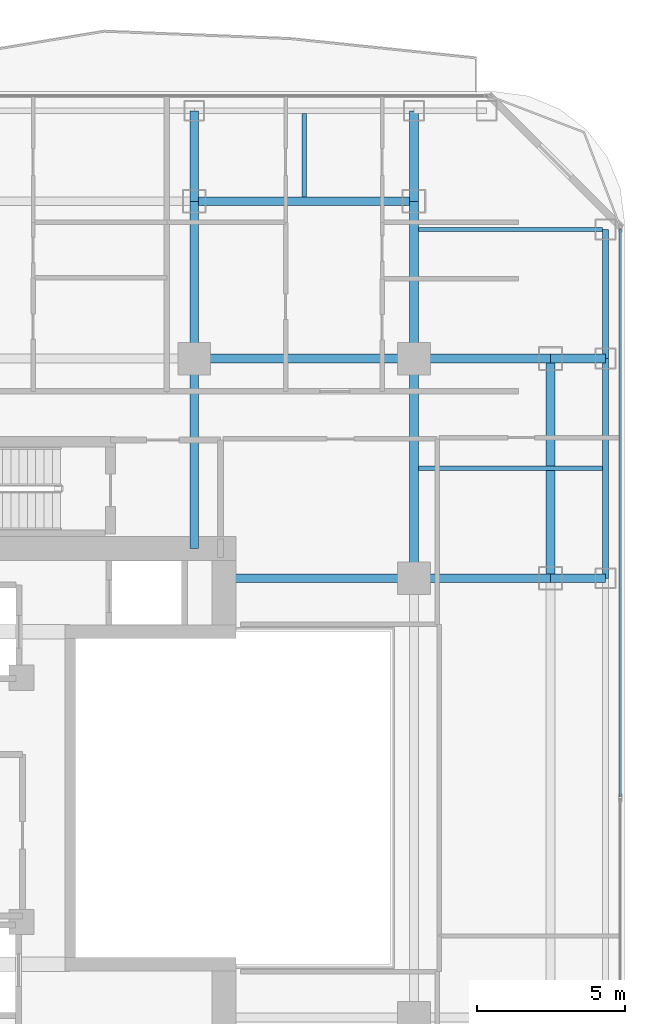
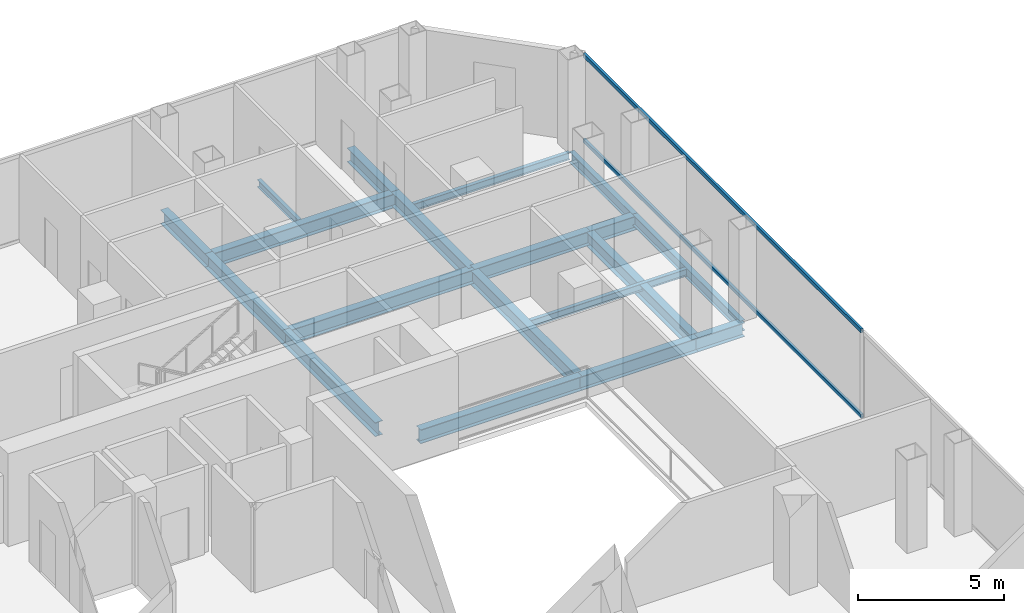
# One storey, part 15 of 26: 19 beams, 2 members, 1 element without a shape of its own.
"""IFC4 building model written with IfcOpenShell, lengths in metres."""

from ifc_helpers import new_model, si_unit, direction, frame, origin, origin_2d, place, context, subcontext, project, spatial, hollow_rectangle, i_section, extrude, material, layer, layer_set, material_profile, profile_set, type_object, element, aggregate, save


model = new_model("IFC4")

# Units and contexts
model_context = context("Model", 3, precision=1e-05, world=origin(), true_north=direction((0.0, 1.0)))
body_context = subcontext(model_context, "Body", "Model", "MODEL_VIEW")
ifc_project = project(units=[si_unit("LENGTHUNIT", "METRE"), si_unit("AREAUNIT", "SQUARE_METRE"), si_unit("VOLUMEUNIT", "CUBIC_METRE"), si_unit("PLANEANGLEUNIT", "RADIAN"), si_unit("MASSUNIT", "GRAM", prefix="KILO")], contexts=[model_context])

# Site, building, storey
site_placement = place(None, origin())
site = spatial("IfcSite", under=ifc_project, at=site_placement, CompositionType="ELEMENT")
building_placement = place(site_placement, origin())
building = spatial("IfcBuilding", under=site, at=building_placement, Name="Khorvyn Point Tower", CompositionType="ELEMENT")
storey_placement = place(building_placement, frame((0.0, 0.0, 183.60009765625)))
storey = spatial("IfcBuildingStorey", under=building, at=storey_placement, Name="L45", CompositionType="ELEMENT", Elevation=183.60009765625)

# Curtain wall, members
ifc_material_1 = material(Name="Anodised aluminium 6063-T6 and laminated Low-E glass", Category="aluminium")
ifc_layer = layer(ifc_material_1, 0.18994140625)
ifc_layer_set = layer_set([ifc_layer], Name="Stick-Built Acoustic Curtain Wall CW-SYS-03")
curtain_wall_type = type_object("IfcCurtainWallType", Name="Stick-Built Acoustic Curtain Wall CW-SYS-03", PredefinedType="NOTDEFINED", material=ifc_layer_set)
curtain_wall_placement = place(storey_placement, origin())
curtain_wall = element("IfcCurtainWall", 1, at=curtain_wall_placement, inside=storey, type_object=curtain_wall_type, Name="Curtain Wall", PredefinedType="NOTDEFINED")
ifc_material_2 = material(Name="Anodised aluminium 6063-T6", Category="aluminium")
ifc_material_profile_1 = material_profile(ifc_material_2, hollow_rectangle(XDim=0.10009765625, YDim=0.159912109375, WallThickness=0.00439453125, at=origin_2d()))
ifc_profile_set_1 = profile_set([ifc_material_profile_1], Name="Anodised aluminium 6063-T6 ALU-TRN-100x160")
member_type = type_object("IfcMemberType", Name="Anodised Aluminium 6063-T6 Transom ALU-TRN-100x160", PredefinedType="USERDEFINED", material=ifc_profile_set_1)
member_1_placement = place(storey_placement, frame((21.75, 19.14990234375, 0.0498046875), z_axis=(0.0, -1.0, 0.0), x_axis=(1.0, 0.0, 0.0)))
member_1 = element("IfcMember", 2, at=member_1_placement, type_object=member_type, Name="Transom", ObjectType="TRANSOM", PredefinedType="USERDEFINED", context=body_context, shape_type="SweptSolid", body=[
    extrude(hollow_rectangle(XDim=0.10009765625, YDim=0.159912109375, WallThickness=0.00439453125, at=origin_2d()), origin(), (0.0, 0.0, 1.0), 19.099853515625),
])
member_2_placement = place(storey_placement, frame((21.75, 19.14990234375, 3.6298828125), z_axis=(0.0, -1.0, 0.0), x_axis=(1.0, 0.0, 0.0)))
member_2 = element("IfcMember", 3, at=member_2_placement, type_object=member_type, Name="Transom", ObjectType="TRANSOM", PredefinedType="USERDEFINED", context=body_context, shape_type="SweptSolid", body=[
    extrude(hollow_rectangle(XDim=0.10009765625, YDim=0.159912109375, WallThickness=0.00439453125, at=origin_2d()), origin(), (0.0, 0.0, 1.0), 19.099853515625),
])
aggregate(curtain_wall, [member_1, member_2])

# Beams
ifc_material_3 = material(Name="Steel S355", Category="steel")
ifc_material_profile_2 = material_profile(ifc_material_3, i_section(OverallWidth=0.300048828125, OverallDepth=0.587890625, WebThickness=0.011962890625, FlangeThickness=0.02001953125, at=origin_2d()))
ifc_profile_set_2 = profile_set([ifc_material_profile_2], Name="Steel S355 H588x300x12x20")
beam_type_1 = type_object("IfcBeamType", Name="Steel S355 Beam H588x300x12x20", PredefinedType="BEAM", material=ifc_profile_set_2)
beam_1_placement = place(storey_placement, frame((7.39990234375, 14.800048828125, -0.51416015625), z_axis=(1.0, 0.0, 0.0), x_axis=(0.0, 1.0, 0.0)))
element("IfcBeam", 4, at=beam_1_placement, inside=storey, type_object=beam_type_1, Name="Beam", PredefinedType="BEAM", context=body_context, shape_type="SweptSolid", body=[
    extrude(i_section(OverallWidth=0.300048828125, OverallDepth=0.587890625, WebThickness=0.011962890625, FlangeThickness=0.02001953125, at=origin_2d()), origin(), (0.0, 0.0, 1.0), 7.400146484375),
])
beam_2_placement = place(storey_placement, frame((14.800048828125, 14.800048828125, -0.51416015625), z_axis=(1.0, 0.0, 0.0), x_axis=(0.0, 1.0, 0.0)))
element("IfcBeam", 5, at=beam_2_placement, inside=storey, type_object=beam_type_1, Name="Beam", PredefinedType="BEAM", context=body_context, shape_type="SweptSolid", body=[
    extrude(i_section(OverallWidth=0.300048828125, OverallDepth=0.587890625, WebThickness=0.011962890625, FlangeThickness=0.02001953125, at=origin_2d()), origin(), (0.0, 0.0, 1.0), 4.599853515625),
])
beam_3_placement = place(storey_placement, frame((19.39990234375, 14.800048828125, -0.51416015625), z_axis=(1.0, 0.0, 0.0), x_axis=(0.0, 1.0, 0.0)))
element("IfcBeam", 6, at=beam_3_placement, inside=storey, type_object=beam_type_1, Name="Beam", PredefinedType="BEAM", context=body_context, shape_type="SweptSolid", body=[
    extrude(i_section(OverallWidth=0.300048828125, OverallDepth=0.587890625, WebThickness=0.011962890625, FlangeThickness=0.02001953125, at=origin_2d()), origin(), (0.0, 0.0, 1.0), 1.85009765625),
])
beam_4_placement = place(storey_placement, frame((8.39990234375, 7.39990234375, -0.51416015625), z_axis=(1.0, 0.0, 0.0), x_axis=(0.0, 1.0, 0.0)))
element("IfcBeam", 7, at=beam_4_placement, inside=storey, type_object=beam_type_1, Name="Beam", PredefinedType="BEAM", context=body_context, shape_type="SweptSolid", body=[
    extrude(i_section(OverallWidth=0.300048828125, OverallDepth=0.587890625, WebThickness=0.011962890625, FlangeThickness=0.02001953125, at=origin_2d()), origin(), (0.0, 0.0, 1.0), 6.400146484375),
])
beam_5_placement = place(storey_placement, frame((14.800048828125, 7.39990234375, -0.51416015625), z_axis=(1.0, 0.0, 0.0), x_axis=(0.0, 1.0, 0.0)))
element("IfcBeam", 8, at=beam_5_placement, inside=storey, type_object=beam_type_1, Name="Beam", PredefinedType="BEAM", context=body_context, shape_type="SweptSolid", body=[
    extrude(i_section(OverallWidth=0.300048828125, OverallDepth=0.587890625, WebThickness=0.011962890625, FlangeThickness=0.02001953125, at=origin_2d()), origin(), (0.0, 0.0, 1.0), 4.599853515625),
])
beam_6_placement = place(storey_placement, frame((19.39990234375, 7.39990234375, -0.51416015625), z_axis=(1.0, 0.0, 0.0), x_axis=(0.0, 1.0, 0.0)))
element("IfcBeam", 9, at=beam_6_placement, inside=storey, type_object=beam_type_1, Name="Beam", PredefinedType="BEAM", context=body_context, shape_type="SweptSolid", body=[
    extrude(i_section(OverallWidth=0.300048828125, OverallDepth=0.587890625, WebThickness=0.011962890625, FlangeThickness=0.02001953125, at=origin_2d()), origin(), (0.0, 0.0, 1.0), 1.85009765625),
])
for number, where, z_axis, x_axis, name in (
    (10, (7.39990234375, 20.10009765625, -0.51416015625), (1.0, 0.0, 0.0), (0.0, 1.0, 0.0), "Beam"),
    (11, (14.800048828125, 7.39990234375, -0.51416015625), (0.0, 1.0, 0.0), (-1.0, 0.0, 0.0), "Beam"),
):
    element("IfcBeam", number, at=place(storey_placement, frame(where, z_axis=z_axis, x_axis=x_axis)), inside=storey, type_object=beam_type_1, Name=name, PredefinedType="BEAM", context=body_context, shape_type="SweptSolid", body=[
        extrude(i_section(OverallWidth=0.300048828125, OverallDepth=0.587890625, WebThickness=0.011962890625, FlangeThickness=0.02001953125, at=origin_2d()), origin(), (0.0, 0.0, 1.0), 7.400146484375),
    ])
beam_7_placement = place(storey_placement, frame((14.800048828125, 14.800048828125, -0.51416015625), z_axis=(0.0, 1.0, 0.0), x_axis=(-1.0, 0.0, 0.0)))
element("IfcBeam", 12, at=beam_7_placement, inside=storey, type_object=beam_type_1, Name="Beam", PredefinedType="BEAM", context=body_context, shape_type="SweptSolid", body=[
    extrude(i_section(OverallWidth=0.300048828125, OverallDepth=0.587890625, WebThickness=0.011962890625, FlangeThickness=0.02001953125, at=origin_2d()), origin(), (0.0, 0.0, 1.0), 5.300048828125),
])
beam_8_placement = place(storey_placement, frame((14.800048828125, 20.10009765625, -0.51416015625), z_axis=(0.0, 1.0, 0.0), x_axis=(-1.0, 0.0, 0.0)))
element("IfcBeam", 13, at=beam_8_placement, inside=storey, type_object=beam_type_1, Name="Beam", PredefinedType="BEAM", context=body_context, shape_type="SweptSolid", body=[
    extrude(i_section(OverallWidth=0.300048828125, OverallDepth=0.587890625, WebThickness=0.011962890625, FlangeThickness=0.02001953125, at=origin_2d()), origin(), (0.0, 0.0, 1.0), 3.0498046875),
])
beam_9_placement = place(storey_placement, frame((7.39990234375, 8.39990234375, -0.51416015625), z_axis=(0.0, 1.0, 0.0), x_axis=(-1.0, 0.0, 0.0)))
element("IfcBeam", 14, at=beam_9_placement, inside=storey, type_object=beam_type_1, Name="Beam", PredefinedType="BEAM", context=body_context, shape_type="SweptSolid", body=[
    extrude(i_section(OverallWidth=0.300048828125, OverallDepth=0.587890625, WebThickness=0.011962890625, FlangeThickness=0.02001953125, at=origin_2d()), origin(), (0.0, 0.0, 1.0), 6.400146484375),
])
beam_10_placement = place(storey_placement, frame((7.39990234375, 14.800048828125, -0.51416015625), z_axis=(0.0, 1.0, 0.0), x_axis=(-1.0, 0.0, 0.0)))
element("IfcBeam", 15, at=beam_10_placement, inside=storey, type_object=beam_type_1, Name="Beam", PredefinedType="BEAM", context=body_context, shape_type="SweptSolid", body=[
    extrude(i_section(OverallWidth=0.300048828125, OverallDepth=0.587890625, WebThickness=0.011962890625, FlangeThickness=0.02001953125, at=origin_2d()), origin(), (0.0, 0.0, 1.0), 5.300048828125),
])
beam_11_placement = place(storey_placement, frame((7.39990234375, 20.10009765625, -0.51416015625), z_axis=(0.0, 1.0, 0.0), x_axis=(-1.0, 0.0, 0.0)))
element("IfcBeam", 16, at=beam_11_placement, inside=storey, type_object=beam_type_1, Name="Beam", PredefinedType="BEAM", context=body_context, shape_type="SweptSolid", body=[
    extrude(i_section(OverallWidth=0.300048828125, OverallDepth=0.587890625, WebThickness=0.011962890625, FlangeThickness=0.02001953125, at=origin_2d()), origin(), (0.0, 0.0, 1.0), 3.0498046875),
])
beam_12_placement = place(storey_placement, frame((19.39990234375, 7.39990234375, -0.51416015625), z_axis=(0.0, 1.0, 0.0), x_axis=(-1.0, 0.0, 0.0)))
element("IfcBeam", 17, at=beam_12_placement, inside=storey, type_object=beam_type_1, Name="Beam", PredefinedType="BEAM", context=body_context, shape_type="SweptSolid", body=[
    extrude(i_section(OverallWidth=0.300048828125, OverallDepth=0.587890625, WebThickness=0.011962890625, FlangeThickness=0.02001953125, at=origin_2d()), origin(), (0.0, 0.0, 1.0), 7.400146484375),
])
ifc_material_profile_3 = material_profile(ifc_material_3, i_section(OverallWidth=0.14990234375, OverallDepth=0.300048828125, WebThickness=0.006591796875, FlangeThickness=0.009033203125, at=origin_2d()))
ifc_profile_set_3 = profile_set([ifc_material_profile_3], Name="Steel S355 H300x150x6.5x9")
beam_type_2 = type_object("IfcBeamType", Name="Steel S355 Joist H300x150x6.5x9", PredefinedType="JOIST", material=ifc_profile_set_3)
beam_13_placement = place(storey_placement, frame((14.949951171875, 11.10009765625, -0.3701171875), z_axis=(1.0, 0.0, 0.0), x_axis=(0.0, 1.0, 0.0)))
element("IfcBeam", 18, at=beam_13_placement, inside=storey, type_object=beam_type_2, Name="Beam", PredefinedType="JOIST", context=body_context, shape_type="SweptSolid", body=[
    extrude(i_section(OverallWidth=0.14990234375, OverallDepth=0.300048828125, WebThickness=0.006591796875, FlangeThickness=0.009033203125, at=origin_2d()), origin(), (0.0, 0.0, 1.0), 6.199951171875),
])
beam_14_placement = place(storey_placement, frame((11.10009765625, 20.25, -0.3701171875), z_axis=(0.0, 1.0, 0.0), x_axis=(-1.0, 0.0, 0.0)))
element("IfcBeam", 19, at=beam_14_placement, inside=storey, type_object=beam_type_2, Name="Beam", PredefinedType="JOIST", context=body_context, shape_type="SweptSolid", body=[
    extrude(i_section(OverallWidth=0.14990234375, OverallDepth=0.300048828125, WebThickness=0.006591796875, FlangeThickness=0.009033203125, at=origin_2d()), origin(), (0.0, 0.0, 1.0), 2.800048828125),
])
beam_15_placement = place(storey_placement, frame((14.949951171875, 19.14990234375, -0.3701171875), z_axis=(1.0, 0.0, 0.0), x_axis=(0.0, 1.0, 0.0)))
element("IfcBeam", 20, at=beam_15_placement, inside=storey, type_object=beam_type_2, Name="Beam", PredefinedType="JOIST", context=body_context, shape_type="SweptSolid", body=[
    extrude(i_section(OverallWidth=0.14990234375, OverallDepth=0.300048828125, WebThickness=0.006591796875, FlangeThickness=0.009033203125, at=origin_2d()), origin(), (0.0, 0.0, 1.0), 6.199951171875),
])
ifc_material_profile_4 = material_profile(ifc_material_3, i_section(OverallWidth=0.199951171875, OverallDepth=0.449951171875, WebThickness=0.009033203125, FlangeThickness=0.013916015625, at=origin_2d()))
ifc_profile_set_4 = profile_set([ifc_material_profile_4], Name="Steel S355 H450x200x9x14")
beam_type_3 = type_object("IfcBeamType", Name="Steel S355 Spandrel H450x200x9x14", PredefinedType="SPANDREL", material=ifc_profile_set_4)
beam_16_placement = place(storey_placement, frame((21.25, 7.39990234375, -0.445068359375), z_axis=(0.0, 1.0, 0.0), x_axis=(-1.0, 0.0, 0.0)))
element("IfcBeam", 21, at=beam_16_placement, inside=storey, type_object=beam_type_3, Name="Beam", PredefinedType="SPANDREL", context=body_context, shape_type="SweptSolid", body=[
    extrude(i_section(OverallWidth=0.199951171875, OverallDepth=0.449951171875, WebThickness=0.009033203125, FlangeThickness=0.013916015625, at=origin_2d()), origin(), (0.0, 0.0, 1.0), 7.400146484375),
])
beam_17_placement = place(storey_placement, frame((21.25, 14.800048828125, -0.445068359375), z_axis=(0.0, 1.0, 0.0), x_axis=(-1.0, 0.0, 0.0)))
element("IfcBeam", 22, at=beam_17_placement, inside=storey, type_object=beam_type_3, Name="Beam", PredefinedType="SPANDREL", context=body_context, shape_type="SweptSolid", body=[
    extrude(i_section(OverallWidth=0.199951171875, OverallDepth=0.449951171875, WebThickness=0.009033203125, FlangeThickness=0.013916015625, at=origin_2d()), origin(), (0.0, 0.0, 1.0), 4.349853515625),
])

save(model, "model.ifc")
